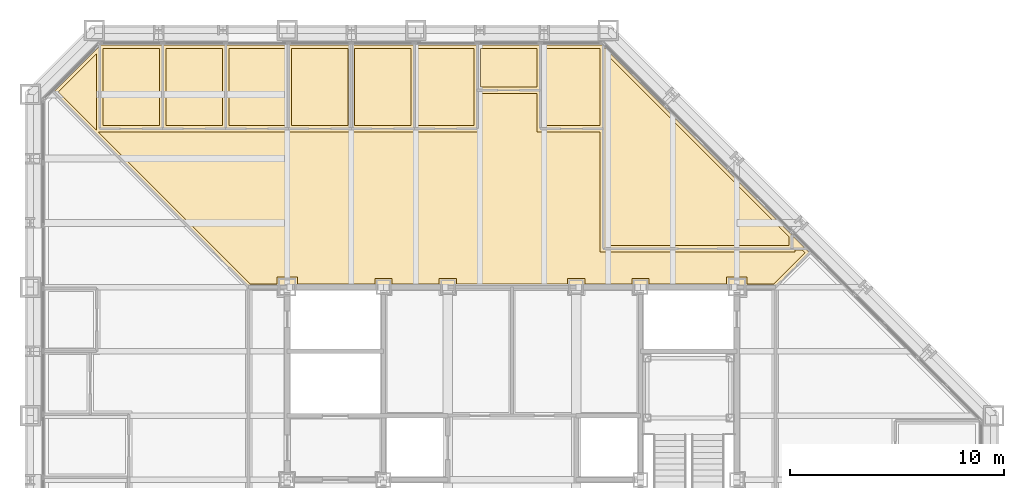
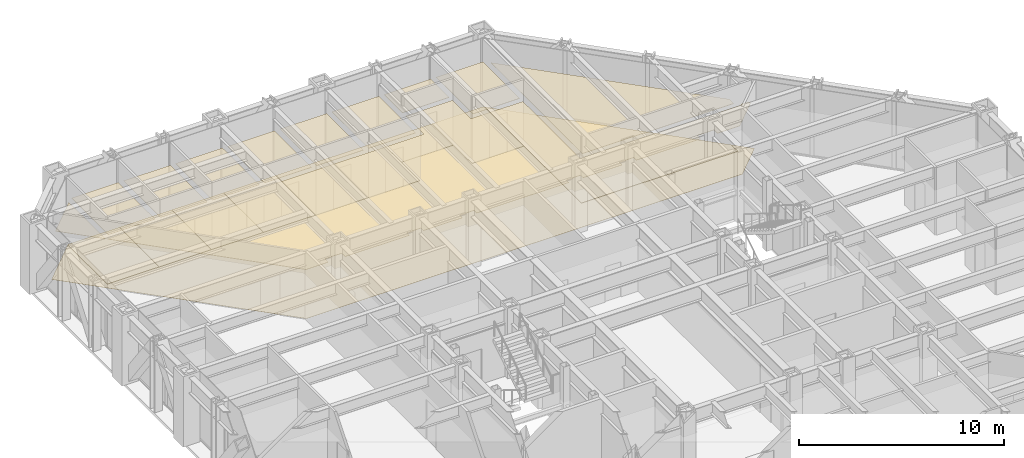
# One storey, part 17 of 17: 21 coverings.
"""IFC4 building model written with IfcOpenShell, lengths in metres."""

from ifc_helpers import new_model, si_unit, direction, frame, origin, place, context, subcontext, project, spatial, polyline, outline, extrude, material, layer, layer_set, type_object, element, save


model = new_model("IFC4")

# Units and contexts
model_context = context("Model", 3, precision=1e-05, world=origin(), true_north=direction((0.0, 1.0)))
body_context = subcontext(model_context, "Body", "Model", "MODEL_VIEW")
ifc_project = project(units=[si_unit("LENGTHUNIT", "METRE"), si_unit("AREAUNIT", "SQUARE_METRE"), si_unit("VOLUMEUNIT", "CUBIC_METRE"), si_unit("PLANEANGLEUNIT", "RADIAN"), si_unit("MASSUNIT", "GRAM", prefix="KILO")], contexts=[model_context])

# Site, building, storey
site_placement = place(None, origin())
site = spatial("IfcSite", under=ifc_project, at=site_placement, CompositionType="ELEMENT")
building_placement = place(site_placement, origin())
building = spatial("IfcBuilding", under=site, at=building_placement, Name="Chuquiago Exchange Tower", CompositionType="ELEMENT")
storey_placement = place(building_placement, frame((0.0, 0.0, 136.199951171875)))
storey = spatial("IfcBuildingStorey", under=building, at=storey_placement, Name="L29", CompositionType="ELEMENT", Elevation=136.199951171875)

# Coverings
ifc_material_1 = material(Name="Mineral fibre tile, 600 x 600, on pale metal grid", Category="mineral fibre")
ifc_layer_1 = layer(ifc_material_1, 0.02001953125)
ifc_layer_set_1 = layer_set([ifc_layer_1], Name="CL1 suspended tile ceiling 20")
covering_type_1 = type_object("IfcCoveringType", Name="CL1 suspended tile ceiling 20", PredefinedType="CEILING", material=ifc_layer_set_1)
covering_1_placement = place(storey_placement, frame((0.0, 0.0, 2.800048828125)))
element("IfcCovering", 1, at=covering_1_placement, inside=storey, type_object=covering_type_1, Name="Ceiling Compliance office", PredefinedType="CEILING", context=body_context, shape_type="SweptSolid", body=[
    extrude(outline(polyline([(6.036376953125, 44.14990234375), (6.036376953125, 40.550048828125), (3.3984375, 40.550048828125), (3.3984375, 44.14990234375), (6.036376953125, 44.14990234375)])), origin(), (0.0, 0.0, 1.0), 0.02001953125),
])
covering_2_placement = place(storey_placement, frame((0.0, 0.0, 2.800048828125)))
element("IfcCovering", 2, at=covering_2_placement, inside=storey, type_object=covering_type_1, Name="Ceiling Compliance office", PredefinedType="CEILING", context=body_context, shape_type="SweptSolid", body=[
    extrude(outline(polyline([(8.974365234375, 40.550048828125), (6.33642578125, 40.550048828125), (6.33642578125, 44.14990234375), (8.974365234375, 44.14990234375), (8.974365234375, 40.550048828125)])), origin(), (0.0, 0.0, 1.0), 0.02001953125),
])
covering_3_placement = place(storey_placement, frame((0.0, 0.0, 2.800048828125)))
element("IfcCovering", 3, at=covering_3_placement, inside=storey, type_object=covering_type_1, Name="Ceiling Compliance office", PredefinedType="CEILING", context=body_context, shape_type="SweptSolid", body=[
    extrude(outline(polyline([(11.912109375, 40.550048828125), (9.2744140625, 40.550048828125), (9.2744140625, 44.14990234375), (11.912109375, 44.14990234375), (11.912109375, 40.550048828125)])), origin(), (0.0, 0.0, 1.0), 0.02001953125),
])
covering_4_placement = place(storey_placement, frame((0.0, 0.0, 2.800048828125)))
element("IfcCovering", 4, at=covering_4_placement, inside=storey, type_object=covering_type_1, Name="Ceiling Office", PredefinedType="CEILING", context=body_context, shape_type="SweptSolid", body=[
    extrude(outline(polyline([(14.85009765625, 40.550048828125), (12.212158203125, 40.550048828125), (12.212158203125, 44.14990234375), (14.85009765625, 44.14990234375), (14.85009765625, 40.550048828125)])), origin(), (0.0, 0.0, 1.0), 0.02001953125),
])
covering_5_placement = place(storey_placement, frame((0.0, 0.0, 2.800048828125)))
element("IfcCovering", 5, at=covering_5_placement, inside=storey, type_object=covering_type_1, Name="Ceiling Office", PredefinedType="CEILING", context=body_context, shape_type="SweptSolid", body=[
    extrude(outline(polyline([(17.787841796875, 40.550048828125), (15.14990234375, 40.550048828125), (15.14990234375, 44.14990234375), (17.787841796875, 44.14990234375), (17.787841796875, 40.550048828125)])), origin(), (0.0, 0.0, 1.0), 0.02001953125),
])
covering_6_placement = place(storey_placement, frame((0.0, 0.0, 2.800048828125)))
element("IfcCovering", 6, at=covering_6_placement, inside=storey, type_object=covering_type_1, Name="Ceiling Meeting room", PredefinedType="CEILING", context=body_context, shape_type="SweptSolid", body=[
    extrude(outline(polyline([(20.7255859375, 40.550048828125), (18.087890625, 40.550048828125), (18.087890625, 44.14990234375), (20.7255859375, 44.14990234375), (20.7255859375, 40.550048828125)])), origin(), (0.0, 0.0, 1.0), 0.02001953125),
])
covering_7_placement = place(storey_placement, frame((0.0, 0.0, 2.800048828125)))
element("IfcCovering", 7, at=covering_7_placement, inside=storey, type_object=covering_type_1, Name="Ceiling Focus room", PredefinedType="CEILING", context=body_context, shape_type="SweptSolid", body=[
    extrude(outline(polyline([(23.66357421875, 42.35009765625), (21.025634765625, 42.35009765625), (21.025634765625, 44.14990234375), (23.66357421875, 44.14990234375), (23.66357421875, 42.35009765625)])), origin(), (0.0, 0.0, 1.0), 0.02001953125),
])
covering_8_placement = place(storey_placement, frame((0.0, 0.0, 2.800048828125)))
element("IfcCovering", 8, at=covering_8_placement, inside=storey, type_object=covering_type_1, Name="Ceiling Meeting room", PredefinedType="CEILING", context=body_context, shape_type="SweptSolid", body=[
    extrude(outline(polyline([(26.6015625, 40.550048828125), (23.963623046875, 40.550048828125), (23.963623046875, 44.14990234375), (26.6015625, 44.14990234375), (26.6015625, 40.550048828125)])), origin(), (0.0, 0.0, 1.0), 0.02001953125),
])
covering_9_placement = place(storey_placement, frame((0.0, 0.0, 2.800048828125)))
element("IfcCovering", 9, at=covering_9_placement, inside=storey, type_object=covering_type_1, Name="Ceiling Boardroom", PredefinedType="CEILING", context=body_context, shape_type="SweptSolid", body=[
    extrude(outline(polyline([(35.42578125, 34.949951171875), (26.901611328125, 34.949951171875), (26.901611328125, 43.896484375), (35.42578125, 35.372314453125), (35.42578125, 34.949951171875)])), origin(), (0.0, 0.0, 1.0), 0.02001953125),
])
covering_10_placement = place(storey_placement, frame((0.0, 0.0, 2.800048828125)))
element("IfcCovering", 10, at=covering_10_placement, inside=storey, type_object=covering_type_1, Name="Ceiling Open office north", PredefinedType="CEILING", context=body_context, shape_type="SweptSolid", body=[
    extrude(outline(polyline([(21.025634765625, 40.25), (21.025634765625, 42.050048828125), (23.66357421875, 42.050048828125), (23.66357421875, 40.25), (26.6015625, 40.25), (26.6015625, 34.64990234375), (35.7255859375, 34.64990234375), (35.7255859375, 34.72998046875), (36.068115234375, 34.72998046875), (36.192626953125, 34.60546875), (34.7373046875, 33.14990234375), (33.47509765625, 33.14990234375), (33.47509765625, 33.47509765625), (32.52490234375, 33.47509765625), (32.52490234375, 33.14990234375), (28.89990234375, 33.14990234375), (28.89990234375, 33.39990234375), (28.10009765625, 33.39990234375), (28.10009765625, 33.14990234375), (25.89990234375, 33.14990234375), (25.89990234375, 33.39990234375), (25.10009765625, 33.39990234375), (25.10009765625, 33.14990234375), (19.89990234375, 33.14990234375), (19.89990234375, 33.39990234375), (19.10009765625, 33.39990234375), (19.10009765625, 33.14990234375), (16.89990234375, 33.14990234375), (16.89990234375, 33.39990234375), (16.10009765625, 33.39990234375), (16.10009765625, 33.14990234375), (12.47509765625, 33.14990234375), (12.47509765625, 33.47509765625), (11.52490234375, 33.47509765625), (11.52490234375, 33.14990234375), (10.2626953125, 33.14990234375), (3.162841796875, 40.25), (21.025634765625, 40.25)])), origin(), (0.0, 0.0, 1.0), 0.02001953125),
])
covering_11_placement = place(storey_placement, frame((0.0, 0.0, 2.800048828125)))
element("IfcCovering", 11, at=covering_11_placement, inside=storey, type_object=covering_type_1, Name="Ceiling Open office north", PredefinedType="CEILING", context=body_context, shape_type="SweptSolid", body=[
    extrude(outline(polyline([(1.307373046875, 42.10546875), (3.098388671875, 43.896484375), (3.098388671875, 40.314208984375), (1.307373046875, 42.10546875)])), origin(), (0.0, 0.0, 1.0), 0.02001953125),
])
ifc_material_2 = material(Name="Carpet tile, 500 x 500, on the floor slab", Category="textile")
ifc_layer_2 = layer(ifc_material_2, 0.010009765625)
ifc_layer_set_2 = layer_set([ifc_layer_2], Name="FL1 carpet tile 10")
covering_type_2 = type_object("IfcCoveringType", Name="FL1 carpet tile 10", PredefinedType="FLOORING", material=ifc_layer_set_2)
covering_12_placement = place(storey_placement, origin())
element("IfcCovering", 12, at=covering_12_placement, inside=storey, type_object=covering_type_2, Name="Floor finish Compliance office", PredefinedType="FLOORING", context=body_context, shape_type="SweptSolid", body=[
    extrude(outline(polyline([(3.289794921875, 44.300048828125), (6.186279296875, 44.300048828125), (6.186279296875, 40.39990234375), (3.24853515625, 40.39990234375), (3.24853515625, 44.258544921875), (3.289794921875, 44.300048828125)])), origin(), (0.0, 0.0, 1.0), 0.010009765625),
])
covering_13_placement = place(storey_placement, origin())
element("IfcCovering", 13, at=covering_13_placement, inside=storey, type_object=covering_type_2, Name="Floor finish Compliance office", PredefinedType="FLOORING", context=body_context, shape_type="SweptSolid", body=[
    extrude(outline(polyline([(9.124267578125, 44.300048828125), (9.124267578125, 40.39990234375), (6.186279296875, 40.39990234375), (6.186279296875, 44.300048828125), (9.124267578125, 44.300048828125)])), origin(), (0.0, 0.0, 1.0), 0.010009765625),
])
covering_14_placement = place(storey_placement, origin())
element("IfcCovering", 14, at=covering_14_placement, inside=storey, type_object=covering_type_2, Name="Floor finish Compliance office", PredefinedType="FLOORING", context=body_context, shape_type="SweptSolid", body=[
    extrude(outline(polyline([(12.06201171875, 44.300048828125), (12.06201171875, 40.39990234375), (9.124267578125, 40.39990234375), (9.124267578125, 44.300048828125), (12.06201171875, 44.300048828125)])), origin(), (0.0, 0.0, 1.0), 0.010009765625),
])
covering_15_placement = place(storey_placement, origin())
element("IfcCovering", 15, at=covering_15_placement, inside=storey, type_object=covering_type_2, Name="Floor finish Office", PredefinedType="FLOORING", context=body_context, shape_type="SweptSolid", body=[
    extrude(outline(polyline([(15.0, 44.300048828125), (15.0, 40.39990234375), (12.06201171875, 40.39990234375), (12.06201171875, 44.300048828125), (15.0, 44.300048828125)])), origin(), (0.0, 0.0, 1.0), 0.010009765625),
])
covering_16_placement = place(storey_placement, origin())
element("IfcCovering", 16, at=covering_16_placement, inside=storey, type_object=covering_type_2, Name="Floor finish Office", PredefinedType="FLOORING", context=body_context, shape_type="SweptSolid", body=[
    extrude(outline(polyline([(17.93798828125, 44.300048828125), (17.93798828125, 40.39990234375), (15.0, 40.39990234375), (15.0, 44.300048828125), (17.93798828125, 44.300048828125)])), origin(), (0.0, 0.0, 1.0), 0.010009765625),
])
covering_17_placement = place(storey_placement, origin())
element("IfcCovering", 17, at=covering_17_placement, inside=storey, type_object=covering_type_2, Name="Floor finish Meeting room", PredefinedType="FLOORING", context=body_context, shape_type="SweptSolid", body=[
    extrude(outline(polyline([(20.875732421875, 44.300048828125), (20.875732421875, 40.39990234375), (17.93798828125, 40.39990234375), (17.93798828125, 44.300048828125), (20.875732421875, 44.300048828125)])), origin(), (0.0, 0.0, 1.0), 0.010009765625),
])
covering_18_placement = place(storey_placement, origin())
element("IfcCovering", 18, at=covering_18_placement, inside=storey, type_object=covering_type_2, Name="Floor finish Focus room", PredefinedType="FLOORING", context=body_context, shape_type="SweptSolid", body=[
    extrude(outline(polyline([(23.813720703125, 44.300048828125), (23.813720703125, 42.199951171875), (20.875732421875, 42.199951171875), (20.875732421875, 44.300048828125), (23.813720703125, 44.300048828125)])), origin(), (0.0, 0.0, 1.0), 0.010009765625),
])
covering_19_placement = place(storey_placement, origin())
element("IfcCovering", 19, at=covering_19_placement, inside=storey, type_object=covering_type_2, Name="Floor finish Meeting room", PredefinedType="FLOORING", context=body_context, shape_type="SweptSolid", body=[
    extrude(outline(polyline([(26.710205078125, 44.300048828125), (26.75146484375, 44.258544921875), (26.75146484375, 40.39990234375), (23.813720703125, 40.39990234375), (23.813720703125, 44.300048828125), (26.710205078125, 44.300048828125)])), origin(), (0.0, 0.0, 1.0), 0.010009765625),
])
covering_20_placement = place(storey_placement, origin())
element("IfcCovering", 20, at=covering_20_placement, inside=storey, type_object=covering_type_2, Name="Floor finish Boardroom", PredefinedType="FLOORING", context=body_context, shape_type="SweptSolid", body=[
    extrude(outline(polyline([(35.57568359375, 35.434326171875), (35.57568359375, 34.800048828125), (26.75146484375, 34.800048828125), (26.75146484375, 44.258544921875), (35.57568359375, 35.434326171875)])), origin(), (0.0, 0.0, 1.0), 0.010009765625),
])
covering_21_placement = place(storey_placement, origin())
element("IfcCovering", 21, at=covering_21_placement, inside=storey, type_object=covering_type_2, Name="Floor finish Open office north", PredefinedType="FLOORING", context=body_context, shape_type="SweptSolid", body=[
    extrude(outline(polyline([(3.24853515625, 44.258544921875), (3.24853515625, 40.39990234375), (20.875732421875, 40.39990234375), (20.875732421875, 42.199951171875), (23.813720703125, 42.199951171875), (23.813720703125, 40.39990234375), (26.75146484375, 40.39990234375), (26.75146484375, 34.800048828125), (35.57568359375, 34.800048828125), (35.57568359375, 35.434326171875), (36.40478515625, 34.60546875), (34.799560546875, 33.0), (10.200439453125, 33.0), (1.09521484375, 42.10546875), (3.289794921875, 44.300048828125), (3.24853515625, 44.258544921875)])), origin(), (0.0, 0.0, 1.0), 0.010009765625),
])

save(model, "model.ifc")
